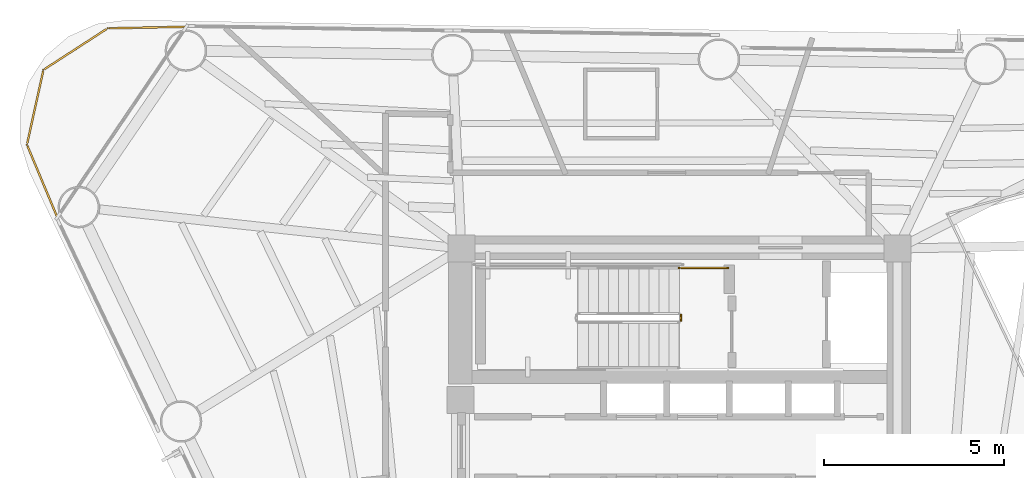
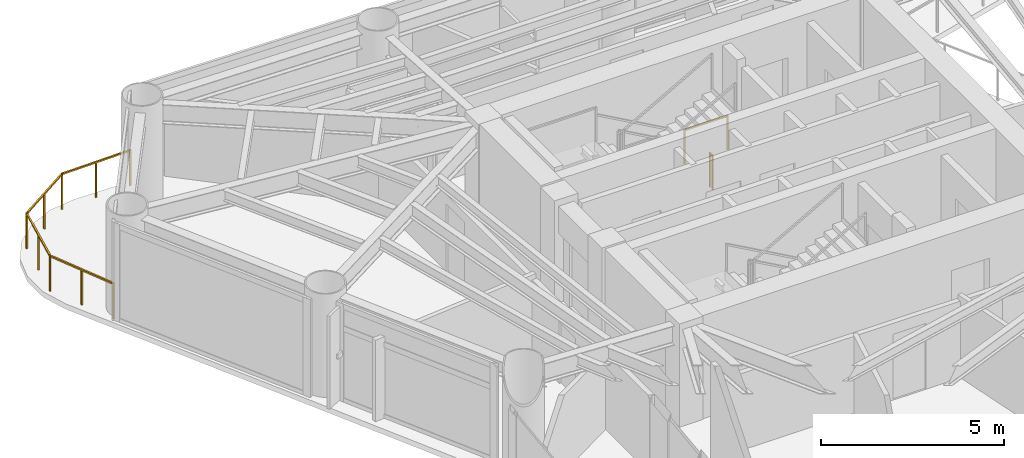
# One storey, part 9 of 10: 3 railings.
"""IFC4 building model written with IfcOpenShell, lengths in metres."""

from ifc_helpers import new_model, si_unit, direction, frame, origin, origin_2d, place, context, subcontext, project, spatial, rectangle, extrude, material, type_object, element, save


model = new_model("IFC4")

# Units and contexts
model_context = context("Model", 3, precision=1e-05, world=origin(), true_north=direction((0.0, 1.0)))
body_context = subcontext(model_context, "Body", "Model", "MODEL_VIEW")
ifc_project = project(units=[si_unit("LENGTHUNIT", "METRE"), si_unit("AREAUNIT", "SQUARE_METRE"), si_unit("VOLUMEUNIT", "CUBIC_METRE"), si_unit("PLANEANGLEUNIT", "RADIAN"), si_unit("MASSUNIT", "GRAM", prefix="KILO")], contexts=[model_context])

# Site, building, storey
site_placement = place(None, origin())
site = spatial("IfcSite", under=ifc_project, at=site_placement, CompositionType="ELEMENT")
building_placement = place(site_placement, origin())
building = spatial("IfcBuilding", under=site, at=building_placement, Name="Yunling Apex Tower", CompositionType="ELEMENT")
storey_placement = place(building_placement, frame((0.0, 0.0, 215.60009765625)))
storey = spatial("IfcBuildingStorey", under=building, at=storey_placement, Name="L53", CompositionType="ELEMENT", Elevation=215.60009765625)

# Railings
ifc_material_1 = material(Name="Bronze anodised aluminium", Category="aluminium")
railing_type_1 = type_object("IfcRailingType", Name="RL-BAL-1200", PredefinedType="BALUSTRADE", material=ifc_material_1)
railing_1_placement = place(storey_placement, frame((-17.253662109375, 6.364990234375, 0.0)))
element("IfcRailing", 1, at=railing_1_placement, inside=storey, type_object=railing_type_1, Name="RL-CRNSILL-L53-2", PredefinedType="BALUSTRADE", context=body_context, shape_type="SweptSolid", body=[
    extrude(rectangle(XDim=0.0439453125, YDim=0.0439453125, at=origin_2d()), origin(), (0.0, 0.0, 1.0), 1.199951171875),
    extrude(rectangle(XDim=0.0439453125, YDim=0.0439453125, at=origin_2d()), frame((-0.842529296875, 2.01416015625, 0.0)), (0.0, 0.0, 1.0), 1.199951171875),
    extrude(rectangle(XDim=0.050048828125, YDim=0.050048828125, at=origin_2d()), frame((-0.014892578125, 0.035400390625, 1.1748046875), z_axis=(-0.385901306975, 0.922540070282, 0.0), x_axis=(-0.922540070282, -0.385901306975, 0.0)), (0.0, 0.0, 1.0), 2.106689453125),
    extrude(rectangle(XDim=0.0439453125, YDim=0.0439453125, at=origin_2d()), frame((-0.42138671875, 1.007080078125, 0.0)), (0.0, 0.0, 1.0), 1.14599609375),
    extrude(rectangle(XDim=0.0439453125, YDim=0.0439453125, at=origin_2d()), frame((-0.384521484375, 4.089111328125, 0.0)), (0.0, 0.0, 1.0), 1.199951171875),
    extrude(rectangle(XDim=0.050048828125, YDim=0.050048828125, at=origin_2d()), frame((-0.834228515625, 2.051513671875, 1.1748046875), z_axis=(0.215543386307, 0.976494264509, 0.0), x_axis=(-0.976494264509, 0.215543386307, 0.0)), (0.0, 0.0, 1.0), 2.04833984375),
    extrude(rectangle(XDim=0.0439453125, YDim=0.0439453125, at=origin_2d()), frame((-0.613525390625, 3.0517578125, 0.0)), (0.0, 0.0, 1.0), 1.14599609375),
    extrude(rectangle(XDim=0.0439453125, YDim=0.0439453125, at=origin_2d()), frame((1.393310546875, 5.240234375, 0.0)), (0.0, 0.0, 1.0), 1.199951171875),
    extrude(rectangle(XDim=0.050048828125, YDim=0.050048828125, at=origin_2d()), frame((-0.352294921875, 4.10986328125, 1.1748046875), z_axis=(0.839406208654, 0.543504569322, 0.0), x_axis=(-0.543504569322, 0.839406208654, 0.0)), (0.0, 0.0, 1.0), 2.041259765625),
    extrude(rectangle(XDim=0.0439453125, YDim=0.0439453125, at=origin_2d()), frame((0.50439453125, 4.66455078125, 0.0)), (0.0, 0.0, 1.0), 1.14599609375),
    extrude(rectangle(XDim=0.0439453125, YDim=0.0439453125, at=origin_2d()), frame((3.5771484375, 5.284423828125, 0.0)), (0.0, 0.0, 1.0), 1.199951171875),
    extrude(rectangle(XDim=0.050048828125, YDim=0.050048828125, at=origin_2d()), frame((1.431640625, 5.240966796875, 1.1748046875), z_axis=(0.999795339927, 0.020230626778, 0.0), x_axis=(-0.020230626778, 0.999795339927, 0.0)), (0.0, 0.0, 1.0), 2.107666015625),
    extrude(rectangle(XDim=0.0439453125, YDim=0.0439453125, at=origin_2d()), frame((2.4853515625, 5.26220703125, 0.0)), (0.0, 0.0, 1.0), 1.14599609375),
])
ifc_material_2 = material(Name="Steel Q355B", Category="steel")
railing_type_2 = type_object("IfcRailingType", Name="RL-GRD-1150", PredefinedType="GUARDRAIL", material=ifc_material_2)
railing_2_placement = place(storey_placement, frame((0.0400390625, 3.64990234375, 0.0)))
element("IfcRailing", 2, at=railing_2_placement, inside=storey, type_object=railing_type_2, Name="L53 ST-1 stair guard 5", PredefinedType="GUARDRAIL", context=body_context, shape_type="SweptSolid", body=[
    extrude(rectangle(XDim=0.0439453125, YDim=0.0439453125, at=origin_2d()), origin(), (0.0, 0.0, 1.0), 1.14990234375),
    extrude(rectangle(XDim=0.0439453125, YDim=0.0439453125, at=origin_2d()), frame((0.0, -0.14990234375, 0.0)), (0.0, 0.0, 1.0), 1.14990234375),
    extrude(rectangle(XDim=0.050048828125, YDim=0.050048828125, at=origin_2d()), frame((0.0, -0.038330078125, 1.125), z_axis=(0.0, -1.0, 0.0), x_axis=(1.0, 0.0, 0.0)), (0.0, 0.0, 1.0), 0.0732421875),
])
railing_3_placement = place(storey_placement, frame((1.35009765625, 4.9599609375, 0.0)))
element("IfcRailing", 3, at=railing_3_placement, inside=storey, type_object=railing_type_2, Name="L53 ST-1 stair guard 6", PredefinedType="GUARDRAIL", context=body_context, shape_type="SweptSolid", body=[
    extrude(rectangle(XDim=0.0439453125, YDim=0.0439453125, at=origin_2d()), origin(), (0.0, 0.0, 1.0), 1.14990234375),
    extrude(rectangle(XDim=0.0439453125, YDim=0.0439453125, at=origin_2d()), frame((-1.360107421875, 0.0, 0.0)), (0.0, 0.0, 1.0), 1.14990234375),
    extrude(rectangle(XDim=0.050048828125, YDim=0.050048828125, at=origin_2d()), frame((-0.038330078125, 0.0, 1.125), z_axis=(-1.0, 0.0, 0.0), x_axis=(0.0, -1.0, 0.0)), (0.0, 0.0, 1.0), 1.283447265625),
])

save(model, "model.ifc")
